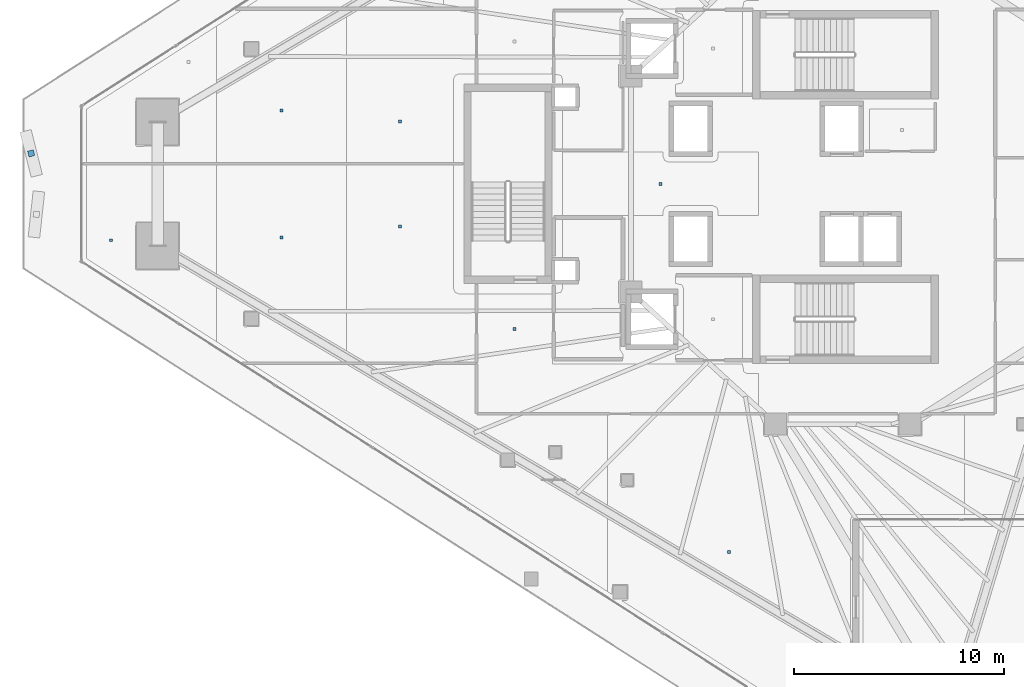
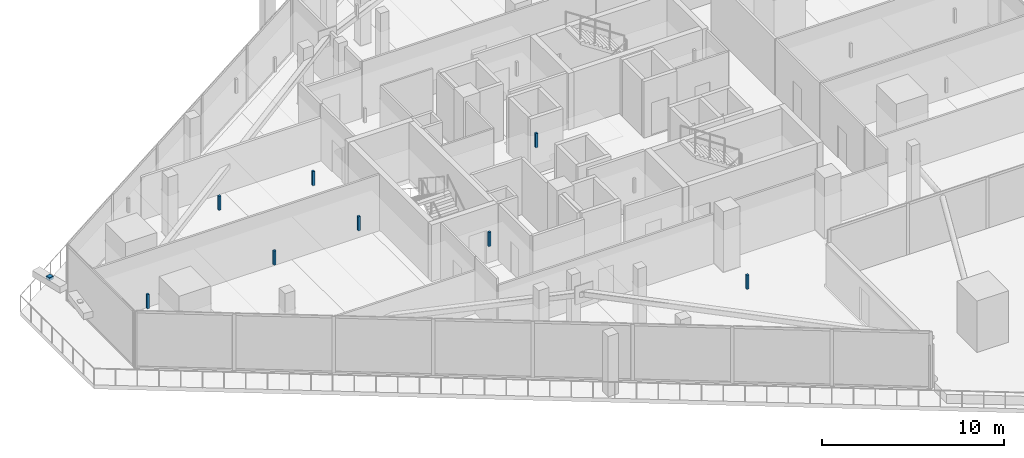
# One storey, part 33 of 43: 9 discrete accessories.
"""IFC4 building model written with IfcOpenShell, lengths in metres."""

from ifc_helpers import new_model, si_unit, direction, frame, origin, origin_2d, place, context, subcontext, project, spatial, rectangle, extrude, material, type_object, element, save


model = new_model("IFC4")

# Units and contexts
model_context = context("Model", 3, precision=1e-05, world=origin(), true_north=direction((0.0, 1.0)))
body_context = subcontext(model_context, "Body", "Model", "MODEL_VIEW")
ifc_project = project(units=[si_unit("LENGTHUNIT", "METRE"), si_unit("AREAUNIT", "SQUARE_METRE"), si_unit("VOLUMEUNIT", "CUBIC_METRE"), si_unit("PLANEANGLEUNIT", "RADIAN"), si_unit("MASSUNIT", "GRAM", prefix="KILO")], contexts=[model_context])

# Site, building, storey
site_placement = place(None, origin())
site = spatial("IfcSite", under=ifc_project, at=site_placement, CompositionType="ELEMENT")
building_placement = place(site_placement, origin())
building = spatial("IfcBuilding", under=site, at=building_placement, Name="Qorvath Tower", CompositionType="ELEMENT")
storey_placement = place(building_placement, frame((0.0, 0.0, 150.300048828125)))
storey = spatial("IfcBuildingStorey", under=building, at=storey_placement, Name="L34", CompositionType="ELEMENT", Elevation=150.300048828125)

# Discrete accessories
ifc_material = material(Name="Galvanised steel bracket", Category="steel")
discrete_accessory_type = type_object("IfcDiscreteAccessoryType", Name="DA-BRACKET", PredefinedType="BRACKET", material=ifc_material)
discrete_accessory_placement = place(storey_placement, frame((-59.0751953125, 1.453125, 3.64013671875), z_axis=(0.0, 0.0, 1.0), x_axis=(0.2419218956, -0.970295726276, 0.0)))
element("IfcDiscreteAccessory", 1, at=discrete_accessory_placement, inside=storey, type_object=discrete_accessory_type, Name="Louvre Wave Support Bracket L34-01", PredefinedType="NOTDEFINED", context=body_context, shape_type="SweptSolid", body=[
    extrude(rectangle(XDim=0.280029296875, YDim=0.280029296875, at=origin_2d()), origin(), (0.0, 0.0, 1.0), 0.199951171875),
])
for number, where, z_axis, x_axis, name in (
    (2, (-36.04150390625, -6.906982421875, 2.85986328125), (0.0, 0.0, 1.0), (1.0, 0.0, 0.0), "Acoustic Ceiling Suspension Hanger T1-L34-006"),
    (3, (-29.090576171875, 0.0, 2.85986328125), (0.0, 0.0, 1.0), (1.0, 0.0, 0.0), "Acoustic Ceiling Suspension Hanger T1-L34-008"),
    (4, (-25.8251953125, -17.53857421875, 2.85986328125), (0.0, 0.0, 1.0), (1.0, 0.0, 0.0), "Acoustic Ceiling Suspension Hanger T1-L34-018"),
    (5, (-55.263671875, -2.68603515625, 2.85986328125), (0.0, 0.0, 1.0), (1.0, 0.0, 0.0), "Acoustic Ceiling Suspension Hanger T1-L34-027"),
    (6, (-47.14599609375, -2.554443359375, 2.85986328125), (0.0, 0.0, 1.0), (1.0, 0.0, 0.0), "Acoustic Ceiling Suspension Hanger T1-L34-028"),
    (7, (-41.500732421875, -2.020751953125, 2.85986328125), (0.0, 0.0, 1.0), (1.0, 0.0, 0.0), "Acoustic Ceiling Suspension Hanger T1-L34-029"),
    (8, (-47.14599609375, 3.5029296875, 2.85986328125), (0.0, 0.0, 1.0), (1.0, 0.0, 0.0), "Acoustic Ceiling Suspension Hanger T1-L34-031"),
    (9, (-41.500732421875, 2.97802734375, 2.85986328125), (0.0, 0.0, 1.0), (1.0, 0.0, 0.0), "Acoustic Ceiling Suspension Hanger T1-L34-032"),
):
    element("IfcDiscreteAccessory", number, at=place(storey_placement, frame(where, z_axis=z_axis, x_axis=x_axis)), inside=storey, type_object=discrete_accessory_type, Name=name, PredefinedType="NOTDEFINED", context=body_context, shape_type="SweptSolid", body=[
        extrude(rectangle(XDim=0.139892578125, YDim=0.139892578125, at=origin_2d()), origin(), (0.0, 0.0, 1.0), 0.9501953125),
    ])

save(model, "model.ifc")
